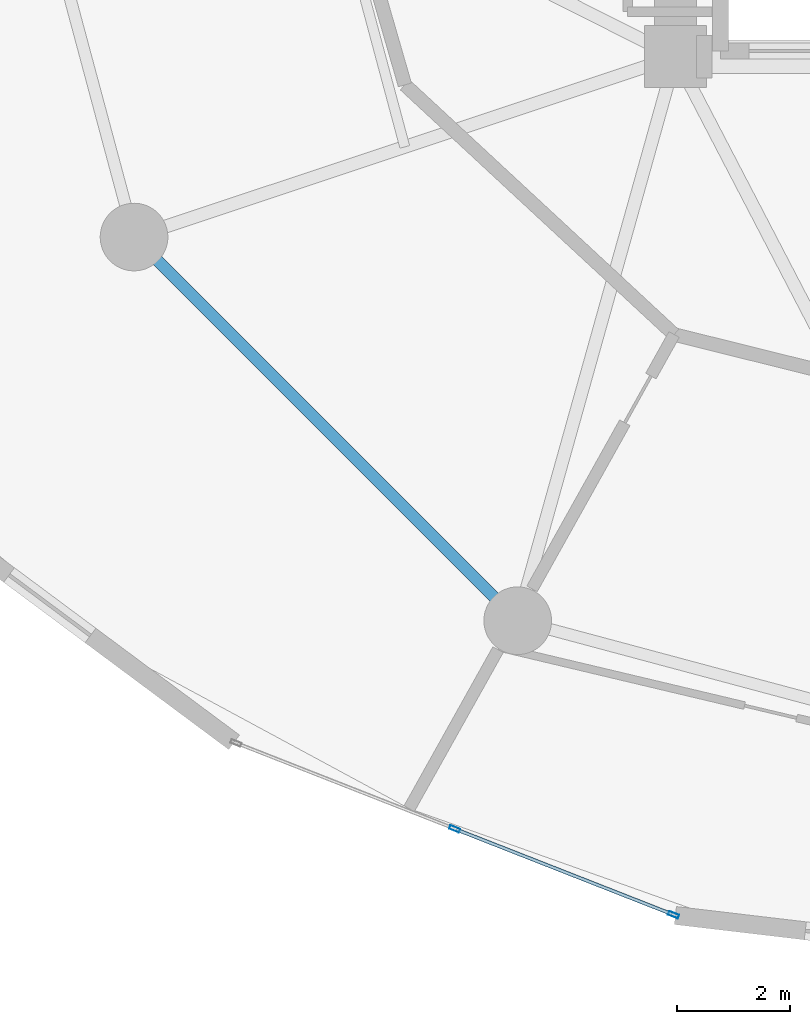
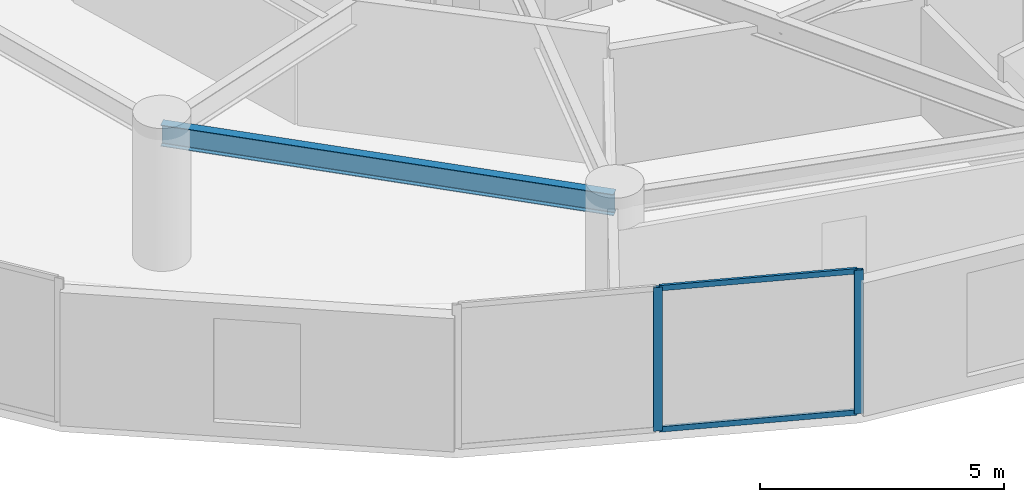
# One storey, part 4 of 25: 4 members, 1 beam, 1 element without a shape of its own.
"""IFC4 building model written with IfcOpenShell, lengths in metres."""

import ifcopenshell
import ifcopenshell.guid

model = None  # the IFC model being written
_history = None  # IfcOwnerHistory: only IFC2X3 demands one
_inside = {}  # id of a spatial element -> (the spatial element, [elements in it])
_under = {}  # id of a project, library or spatial element -> (it, [spatial elements below it])
_declared = {}  # id of a project -> (the project, [libraries it declares])
_typed = {}  # id of a type object -> (the type object, [elements of that type])
_made_of = {}  # id of a material, layer set ... -> (it, [elements and type objects made of it])


def new_model(schema):
    """Start an empty IFC model of exactly this schema.

    Asked for "IFC4X3", IfcOpenShell would pick the latest addendum, in which some entities
    have other attributes; the version numbers below select the first issue.
    IFC2X3 requires an IfcOwnerHistory on every rooted entity: one is made here for all.
    """
    global model, _history
    if schema == "IFC4X3":
        model = ifcopenshell.file(schema_version=(4, 3, 0, 0))
    else:
        model = ifcopenshell.file(schema=schema)
    _inside.clear()
    _under.clear()
    _declared.clear()
    _typed.clear()
    _made_of.clear()
    _history = None
    if model.schema == "IFC2X3":
        org = make("IfcOrganization", Name="unknown")
        user = make(
            "IfcPersonAndOrganization",
            ThePerson=make("IfcPerson", FamilyName="unknown"),
            TheOrganization=org,
        )
        app = make(
            "IfcApplication",
            ApplicationDeveloper=org,
            Version="unknown",
            ApplicationFullName="unknown",
            ApplicationIdentifier="unknown",
        )
        _history = make(
            "IfcOwnerHistory",
            OwningUser=user,
            OwningApplication=app,
            ChangeAction="ADDED",
            CreationDate=0,
        )
    return model


def make(cls, **values):
    """One entity of the class cls with the attributes given. An attribute that is None is left unset."""
    return model.create_entity(
        cls, **{name: value for name, value in values.items() if value is not None}
    )


def rooted(cls, **values):
    """An entity with a GlobalId (a new one), such as an element, a storey or a relation."""
    return make(cls, GlobalId=ifcopenshell.guid.new(), OwnerHistory=_history, **values)


def si_unit(unit_type, name, prefix=None):
    """IfcSIUnit, for example si_unit("LENGTHUNIT", "METRE", prefix="MILLI")."""
    return make("IfcSIUnit", UnitType=unit_type, Prefix=prefix, Name=name)


def assignment(units):
    """IfcUnitAssignment: the units of a project."""
    return None if units is None else make("IfcUnitAssignment", Units=units)


def point(xyz):
    """IfcCartesianPoint."""
    return None if xyz is None else make("IfcCartesianPoint", Coordinates=xyz)


def direction(xyz):
    """IfcDirection."""
    return None if xyz is None else make("IfcDirection", DirectionRatios=xyz)


def frame(location, z_axis=None, x_axis=None):
    """IfcAxis2Placement3D, a coordinate frame: its origin and axes. An axis left out is left unset."""
    return make(
        "IfcAxis2Placement3D",
        Location=point(location),
        Axis=direction(z_axis),
        RefDirection=direction(x_axis),
    )


def frame_2d(location, x_axis=None):
    """IfcAxis2Placement2D, a coordinate frame in the plane: its origin and x axis."""
    return make(
        "IfcAxis2Placement2D", Location=point(location), RefDirection=direction(x_axis)
    )


def origin():
    """The frame at (0, 0, 0) with its axes left unset."""
    return frame((0.0, 0.0, 0.0))


def origin_2d():
    """The frame at (0, 0) in the plane with its x axis left unset."""
    return frame_2d((0.0, 0.0))


def place(relative_to, where):
    """IfcLocalPlacement: puts the frame where relative to a parent placement (None: the world)."""
    return make(
        "IfcLocalPlacement", PlacementRelTo=relative_to, RelativePlacement=where
    )


def context(
    kind, dimensions, precision=None, world=None, true_north=None, identifier=None
):
    """IfcGeometricRepresentationContext, for example the 3D "Model" context."""
    return make(
        "IfcGeometricRepresentationContext",
        ContextIdentifier=identifier,
        ContextType=kind,
        CoordinateSpaceDimension=dimensions,
        Precision=precision,
        WorldCoordinateSystem=world,
        TrueNorth=true_north,
    )


def subcontext(parent, identifier, kind, view, scale=None):
    """IfcGeometricRepresentationSubContext, for example "Body" below "Model"."""
    return make(
        "IfcGeometricRepresentationSubContext",
        ContextIdentifier=identifier,
        ContextType=kind,
        ParentContext=parent,
        TargetScale=scale,
        TargetView=view,
    )


def project(units=None, contexts=None):
    """IfcProject with its units and contexts."""
    return rooted(
        "IfcProject",
        Name="project",
        RepresentationContexts=contexts,
        UnitsInContext=assignment(units),
    )


def spatial(cls, under=None, at=None, **own):
    """A site, building, storey or space (cls), placed at a placement, below another one or the project."""
    s = rooted(cls, ObjectPlacement=at, **own)
    if under is not None:
        _under.setdefault(under.id(), (under, []))[1].append(s)
    return s


def profile(cls, at=None, kind="AREA", **sizes):
    """A parametric profile (cls). Its sizes go by their IFC names, for example OverallWidth=200.0."""
    return make(cls, ProfileType=kind, Position=at, **sizes)


def hollow_rectangle(**sizes):
    """IfcRectangleHollowProfileDef."""
    return profile("IfcRectangleHollowProfileDef", **sizes)


def i_section(**sizes):
    """IfcIShapeProfileDef."""
    return profile("IfcIShapeProfileDef", **sizes)


def extrude(swept, where, along, depth):
    """IfcExtrudedAreaSolid: the profile swept, set in the frame where, extruded along a direction by depth."""
    return make(
        "IfcExtrudedAreaSolid",
        SweptArea=swept,
        Position=where,
        ExtrudedDirection=direction(along),
        Depth=depth,
    )


def shape(context_of_items, identifier, shape_type, items):
    """IfcShapeRepresentation: the items that make up one representation, for example the "Body"."""
    return make(
        "IfcShapeRepresentation",
        ContextOfItems=context_of_items,
        RepresentationIdentifier=identifier,
        RepresentationType=shape_type,
        Items=items,
    )


def source(mapping_origin, context_of_items, identifier, shape_type, items):
    """IfcRepresentationMap: a shape defined once, which mapped items show again and again."""
    return make(
        "IfcRepresentationMap",
        MappingOrigin=mapping_origin,
        MappedRepresentation=shape(context_of_items, identifier, shape_type, items),
    )


def transform(
    local_origin,
    x_axis=None,
    y_axis=None,
    z_axis=None,
    scale=None,
    scale2=None,
    scale3=None,
    uniform=True,
):
    """IfcCartesianTransformationOperator3D, or its non-uniform kind. x_axis, y_axis, z_axis: its Axis1, 2, 3."""
    if uniform:
        return make(
            "IfcCartesianTransformationOperator3D",
            Axis1=direction(x_axis),
            Axis2=direction(y_axis),
            LocalOrigin=point(local_origin),
            Scale=scale,
            Axis3=direction(z_axis),
        )
    return make(
        "IfcCartesianTransformationOperator3DnonUniform",
        Axis1=direction(x_axis),
        Axis2=direction(y_axis),
        LocalOrigin=point(local_origin),
        Scale=scale,
        Axis3=direction(z_axis),
        Scale2=scale2,
        Scale3=scale3,
    )


def mapped(mapping_source, mapping_target):
    """IfcMappedItem: shows the shape of a source again, moved by a transform."""
    return make(
        "IfcMappedItem", MappingSource=mapping_source, MappingTarget=mapping_target
    )


def material(Name=None, Category=None):
    """IfcMaterial."""
    return make("IfcMaterial", Name=Name, Category=Category)


def layer(
    of_material, thickness, ventilated=None, Name=None, Category=None, Priority=None
):
    """IfcMaterialLayer: one layer of a wall or slab, of a material (None: an air gap)."""
    return make(
        "IfcMaterialLayer",
        Material=of_material,
        LayerThickness=thickness,
        IsVentilated=ventilated,
        Name=Name,
        Category=Category,
        Priority=Priority,
    )


def layer_set(layers, Name=None):
    """IfcMaterialLayerSet."""
    return make("IfcMaterialLayerSet", MaterialLayers=layers, LayerSetName=Name)


def material_profile(
    of_material, cross_section, Name=None, Category=None, Priority=None
):
    """IfcMaterialProfile: a cross section and its material."""
    return make(
        "IfcMaterialProfile",
        Name=Name,
        Material=of_material,
        Profile=cross_section,
        Priority=Priority,
        Category=Category,
    )


def profile_set(profiles, Name=None, composite=None):
    """IfcMaterialProfileSet."""
    return make(
        "IfcMaterialProfileSet",
        Name=Name,
        MaterialProfiles=profiles,
        CompositeProfile=composite,
    )


def made_of(thing, what):
    """Note that an element or type object is made of a material, layer set ...; save() writes the relation."""
    if what is not None:
        _made_of.setdefault(what.id(), (what, []))[1].append(thing)
    return thing


def type_object(cls, material=None, **own):
    """A type object (cls), such as IfcWallType, which elements share."""
    return made_of(rooted(cls, **own), material)


def element(
    cls,
    number,
    at=None,
    inside=None,
    cuts=None,
    type_object=None,
    material=None,
    context=None,
    identifier="Body",
    shape_type=None,
    held_by="IfcProductDefinitionShape",
    body=None,
    shapes=None,
    **own,
):
    """One element of the class cls, such as IfcWall. Its Tag is "e" and its number.

    at: its placement. inside: the storey or other place that contains it. cuts: it is an
    opening in that element (IfcRelVoidsElement). A single representation is given by context,
    identifier, shape_type and body (its items); several are given by shapes. held_by: the class
    of the entity that holds the representations. save() writes the other relations.
    """
    e = rooted(cls, Tag="e%d" % number, ObjectPlacement=at, **own)
    if body is not None:
        shapes = [shape(context, identifier, shape_type, body)]
    if shapes is not None:
        e.Representation = make(held_by, Representations=shapes)
    if inside is not None:
        _inside.setdefault(inside.id(), (inside, []))[1].append(e)
    if cuts is not None:
        rooted(
            "IfcRelVoidsElement", RelatingBuildingElement=cuts, RelatedOpeningElement=e
        )
    if type_object is not None:
        _typed.setdefault(type_object.id(), (type_object, []))[1].append(e)
    return made_of(e, material)


def aggregate(whole, parts):
    """IfcRelAggregates: a whole, such as a stair, and the parts it consists of."""
    return rooted("IfcRelAggregates", RelatingObject=whole, RelatedObjects=parts)


def save(model, path):
    """Write the relations noted so far, then the file.

    IfcRelAggregates (storeys below a building ...), IfcRelContainedInSpatialStructure (elements
    in a storey), IfcRelDefinesByType, IfcRelAssociatesMaterial and IfcRelDeclares: one each for
    every whole, place, type object, material and project.
    """
    for whole, parts in _under.values():
        aggregate(whole, parts)
    for where, things in _inside.values():
        rooted(
            "IfcRelContainedInSpatialStructure",
            RelatedElements=things,
            RelatingStructure=where,
        )
    for kind, things in _typed.values():
        rooted("IfcRelDefinesByType", RelatedObjects=things, RelatingType=kind)
    for what, things in _made_of.values():
        rooted("IfcRelAssociatesMaterial", RelatedObjects=things, RelatingMaterial=what)
    for by, libraries in _declared.values():
        rooted("IfcRelDeclares", RelatingContext=by, RelatedDefinitions=libraries)
    model.write(path)


model = new_model("IFC4")

# Units and contexts
model_context = context("Model", 3, precision=1e-05, world=origin(), true_north=direction((0.0, 1.0)))
body_context = subcontext(model_context, "Body", "Model", "MODEL_VIEW")
ifc_project = project(units=[si_unit("LENGTHUNIT", "METRE"), si_unit("AREAUNIT", "SQUARE_METRE"), si_unit("VOLUMEUNIT", "CUBIC_METRE"), si_unit("PLANEANGLEUNIT", "RADIAN"), si_unit("MASSUNIT", "GRAM", prefix="KILO")], contexts=[model_context])

# Site, building, storey
site_placement = place(None, origin())
site = spatial("IfcSite", under=ifc_project, at=site_placement, CompositionType="ELEMENT")
building_placement = place(site_placement, origin())
building = spatial("IfcBuilding", under=site, at=building_placement, Name="Solvirekh Grand Hotel", CompositionType="ELEMENT")
storey_placement = place(building_placement, frame((0.0, 0.0, 57.199951171875)))
storey = spatial("IfcBuildingStorey", under=building, at=storey_placement, Name="L13", CompositionType="ELEMENT", Elevation=57.199951171875)

# Beam
ifc_material_1 = material(Name="Steel S355", Category="steel")
ifc_material_profile_1 = material_profile(ifc_material_1, i_section(OverallWidth=0.208984375, OverallDepth=0.532958984375, WebThickness=0.010009765625, FlangeThickness=0.014892578125, FilletRadius=0.013916015625, at=origin_2d()), Name="W530X92")
ifc_profile_set_1 = profile_set([ifc_material_profile_1], Name="Steel S355")
beam_type = type_object("IfcBeamType", Name="Spandrel_Ring_W530", PredefinedType="SPANDREL", material=ifc_profile_set_1)
beam_placement = place(storey_placement, frame((-16.10791015625, -9.300048828125, 3.072998046875), z_axis=(0.707106781187, -0.707106781187, 0.0), x_axis=(0.707106781187, 0.707106781187, 0.0)))
element("IfcBeam", 1, at=beam_placement, inside=storey, type_object=beam_type, Name="L13 perimeter spandrel beam 8", PredefinedType="SPANDREL", context=body_context, shape_type="SweptSolid", body=[
    extrude(i_section(OverallWidth=0.208984375, OverallDepth=0.532958984375, WebThickness=0.010009765625, FlangeThickness=0.014892578125, FilletRadius=0.013916015625, at=origin_2d()), origin(), (0.0, 0.0, 1.0), 9.627685546875),
])

# Curtain wall, members
ifc_material_2 = material(Name="Anodized Bronze Aluminium 6063-T6", Category="aluminium")
ifc_layer = layer(ifc_material_2, 0.18994140625)
ifc_layer_set = layer_set([ifc_layer], Name="Anodized Bronze Aluminium 6063-T6")
curtain_wall_type = type_object("IfcCurtainWallType", Name="CW_Sys2_LowZoneFlushBronzeCW", PredefinedType="NOTDEFINED", material=ifc_layer_set)
curtain_wall_placement = place(storey_placement, origin())
curtain_wall = element("IfcCurtainWall", 2, at=curtain_wall_placement, inside=storey, type_object=curtain_wall_type, Name="L13 unitised bronze-glass curtain wall CW-L13-C15", PredefinedType="NOTDEFINED")
ifc_material_profile_2 = material_profile(ifc_material_2, hollow_rectangle(XDim=0.070068359375, YDim=0.18994140625, WallThickness=0.0048828125, at=origin_2d()), Name="ALU RHS 190X70X5")
ifc_profile_set_2 = profile_set([ifc_material_profile_2], Name="Anodized Bronze Aluminium 6063-T6")
member_type_1 = type_object("IfcMemberType", Name="CWMullion_Sys2", PredefinedType="MULLION", material=ifc_profile_set_2)
shared_shape_1 = source(origin(), body_context, "Body", "SweptSolid", [
    extrude(hollow_rectangle(XDim=0.070068359375, YDim=0.18994140625, WallThickness=0.0048828125, at=origin_2d()), origin(), (0.0, 0.0, 1.0), 3.60009765625),
])
member_1_placement = place(storey_placement, frame((-10.41748046875, -19.802001953125, 0.0), z_axis=(0.0, 0.0, 1.0), x_axis=(0.365398599776, 0.930851149906, 0.0)))
member_1 = element("IfcMember", 3, at=member_1_placement, type_object=member_type_1, Name="U02 mullion 2", PredefinedType="MULLION", context=body_context, shape_type="MappedRepresentation", body=[
    mapped(shared_shape_1, transform((0.0, 0.0, 0.0), x_axis=(1.0, 0.0, 0.0), y_axis=(0.0, 1.0, 0.0), z_axis=(0.0, 0.0, 1.0), scale=1.0)),
])
member_2_placement = place(storey_placement, frame((-6.53466796875, -21.326171875, 0.0), z_axis=(0.0, 0.0, 1.0), x_axis=(0.365398599776, 0.930851149906, 0.0)))
member_2 = element("IfcMember", 4, at=member_2_placement, type_object=member_type_1, Name="U02 mullion 3", PredefinedType="MULLION", context=body_context, shape_type="MappedRepresentation", body=[
    mapped(shared_shape_1, transform((0.0, 0.0, 0.0), x_axis=(1.0, 0.0, 0.0), y_axis=(0.0, 1.0, 0.0), z_axis=(0.0, 0.0, 1.0), scale=1.0)),
])
ifc_material_profile_3 = material_profile(ifc_material_2, hollow_rectangle(XDim=0.06005859375, YDim=0.135009765625, WallThickness=0.00390625, at=origin_2d()), Name="ALU RHS 135X60X4")
ifc_profile_set_3 = profile_set([ifc_material_profile_3], Name="Anodized Bronze Aluminium 6063-T6")
member_type_2 = type_object("IfcMemberType", Name="CWTransom_Sys2", PredefinedType="USERDEFINED", material=ifc_profile_set_3)
shared_shape_2 = source(origin(), body_context, "Body", "SweptSolid", [
    extrude(hollow_rectangle(XDim=0.06005859375, YDim=0.135009765625, WallThickness=0.00390625, at=origin_2d()), origin(), (0.0, 0.0, 1.0), 4.1015625),
])
member_3_placement = place(storey_placement, frame((-10.385009765625, -19.814697265625, 0.030029296875), z_axis=(0.930842625646, -0.365420314544, 0.0), x_axis=(0.365420314544, 0.930842625646, 0.0)))
member_3 = element("IfcMember", 5, at=member_3_placement, type_object=member_type_2, Name="U02 transom 2.1", ObjectType="TRANSOM", PredefinedType="USERDEFINED", context=body_context, shape_type="MappedRepresentation", body=[
    mapped(shared_shape_2, transform((0.0, 0.0, 0.0), x_axis=(1.0, 0.0, 0.0), y_axis=(0.0, 1.0, 0.0), z_axis=(0.0, 0.0, 1.0), scale=1.0)),
])
member_4_placement = place(storey_placement, frame((-10.385009765625, -19.814697265625, 3.570068359375), z_axis=(0.930842625646, -0.365420314544, 0.0), x_axis=(0.365420314544, 0.930842625646, 0.0)))
member_4 = element("IfcMember", 6, at=member_4_placement, type_object=member_type_2, Name="U02 transom 2.2", ObjectType="TRANSOM", PredefinedType="USERDEFINED", context=body_context, shape_type="MappedRepresentation", body=[
    mapped(shared_shape_2, transform((0.0, 0.0, 0.0), x_axis=(1.0, 0.0, 0.0), y_axis=(0.0, 1.0, 0.0), z_axis=(0.0, 0.0, 1.0), scale=1.0)),
])
aggregate(curtain_wall, [member_1, member_2, member_3, member_4])

save(model, "model.ifc")
